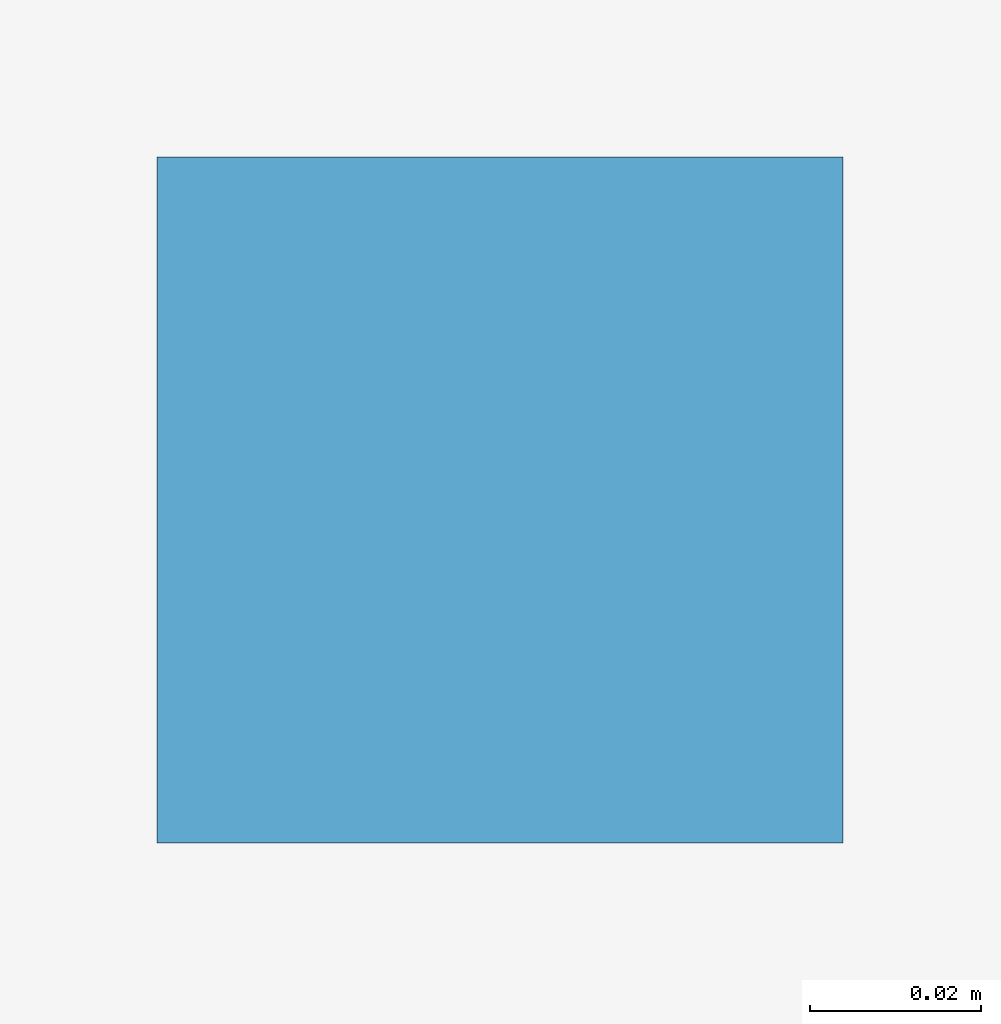
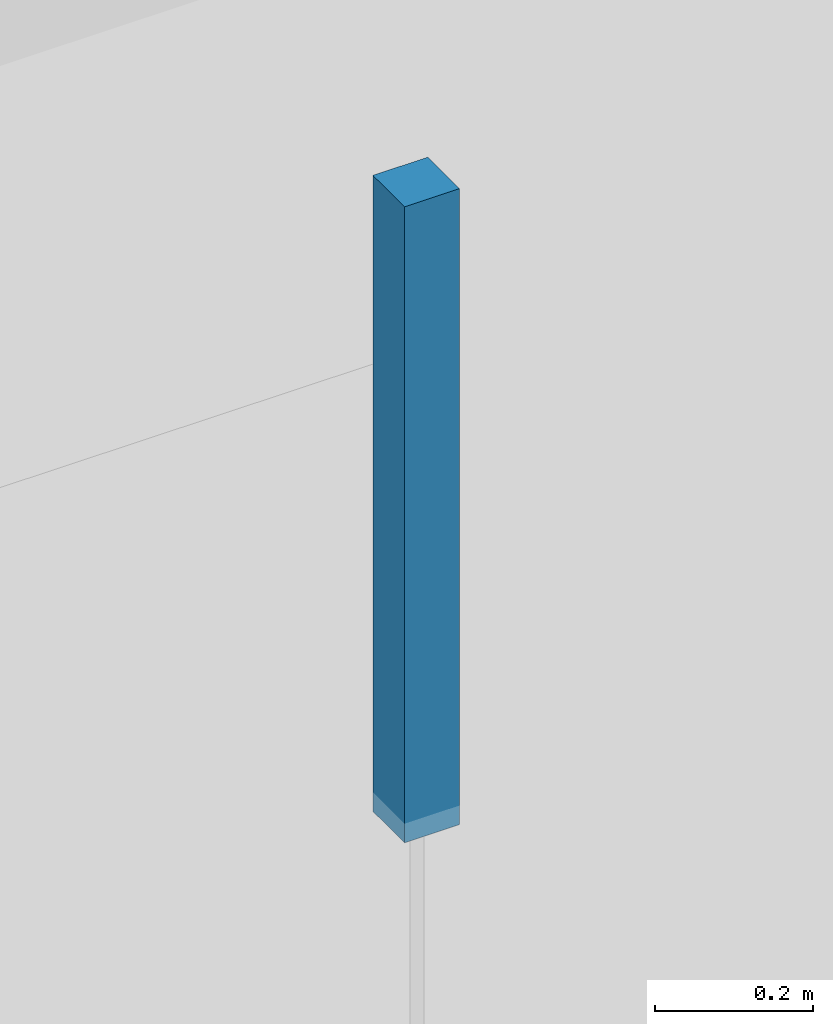
# One storey, part 11 of 15: 1 discrete accessory.
"""IFC4 building model written with IfcOpenShell, lengths in metres."""

from ifc_helpers import new_model, si_unit, direction, frame, origin, origin_2d, place, context, subcontext, project, spatial, rectangle, extrude, source, transform, mapped, material, type_object, element, save


model = new_model("IFC4")

# Units and contexts
model_context = context("Model", 3, precision=1e-05, world=origin(), true_north=direction((0.0, 1.0)))
body_context = subcontext(model_context, "Body", "Model", "MODEL_VIEW")
ifc_project = project(units=[si_unit("LENGTHUNIT", "METRE"), si_unit("AREAUNIT", "SQUARE_METRE"), si_unit("VOLUMEUNIT", "CUBIC_METRE"), si_unit("PLANEANGLEUNIT", "RADIAN"), si_unit("MASSUNIT", "GRAM", prefix="KILO")], contexts=[model_context])

# Site, building, storey
site_placement = place(None, origin())
site = spatial("IfcSite", under=ifc_project, at=site_placement, CompositionType="ELEMENT")
building_placement = place(site_placement, origin())
building = spatial("IfcBuilding", under=site, at=building_placement, Name="Giltprow Tower", CompositionType="ELEMENT")
storey_placement = place(building_placement, frame((0.0, 0.0, 99.699951171875)))
storey = spatial("IfcBuildingStorey", under=building, at=storey_placement, Name="L24", CompositionType="ELEMENT", Elevation=99.699951171875)

# Discrete accessory
ifc_material = material(Name="Structural steel Q355B", Category="steel")
discrete_accessory_type = type_object("IfcDiscreteAccessoryType", Name="ACC-CLG-HANGER", PredefinedType="BRACKET", material=ifc_material)
shared_shape = source(origin(), body_context, "Body", "SweptSolid", [
    extrude(rectangle(XDim=0.080078125, YDim=0.080078125, at=origin_2d()), origin(), (0.0, 0.0, 1.0), 0.97998046875),
])
discrete_accessory_placement = place(storey_placement, frame((25.39990234375, 20.055908203125, 2.719970703125), z_axis=(0.0, 0.0, 1.0), x_axis=(1.0, 0.0, 0.0)))
element("IfcDiscreteAccessory", 1, at=discrete_accessory_placement, inside=storey, type_object=discrete_accessory_type, Name="L24 Office Acoustic Ceiling Suspension Hanger", PredefinedType="BRACKET", context=body_context, shape_type="MappedRepresentation", body=[
    mapped(shared_shape, transform((0.0, 0.0, 0.0), x_axis=(1.0, 0.0, 0.0), y_axis=(0.0, 1.0, 0.0), z_axis=(0.0, 0.0, 1.0), scale=1.0)),
])

save(model, "model.ifc")
